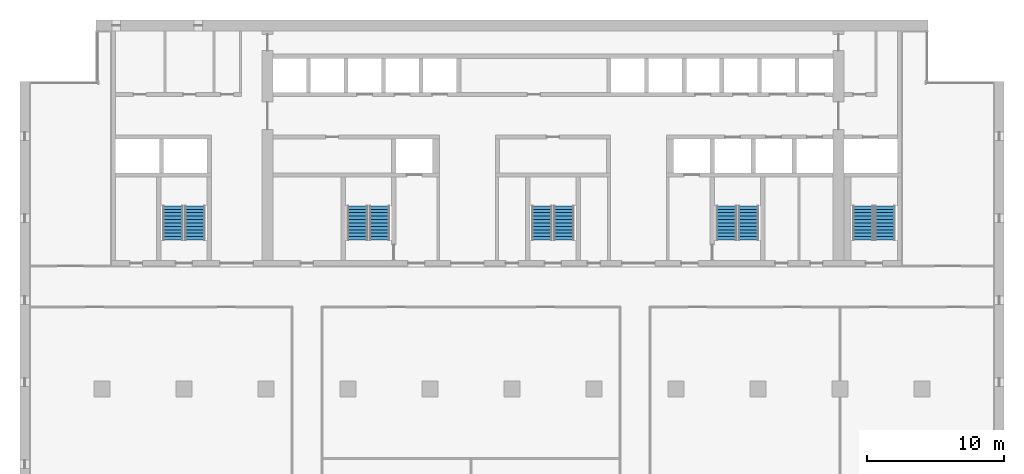
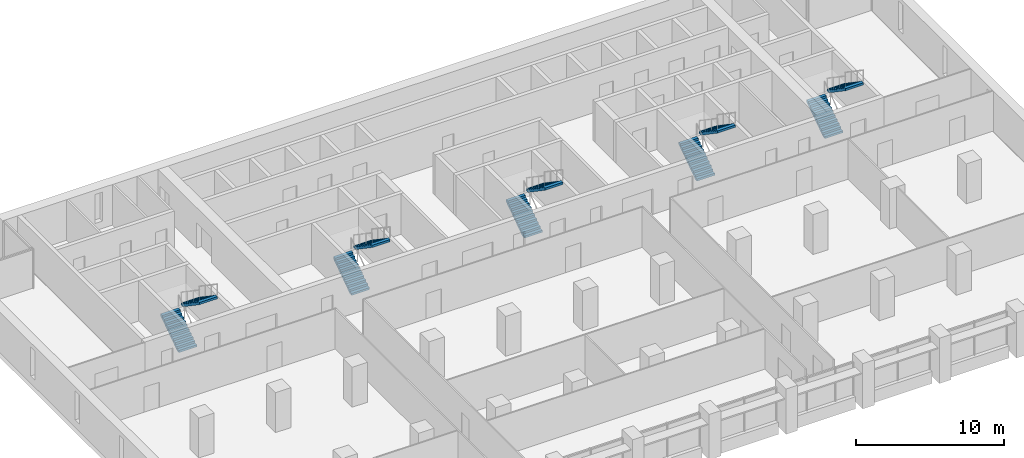
# One storey, part 12 of 15: 10 stair flights, 5 elements without a shape of their own.
"""IFC4 building model written with IfcOpenShell, lengths in metres."""

from ifc_helpers import new_model, si_unit, direction, frame, origin, place, context, subcontext, project, spatial, polyline, outline, extrude, material, type_object, element, aggregate, save


model = new_model("IFC4")

# Units and contexts
model_context = context("Model", 3, precision=1e-05, world=origin(), true_north=direction((0.0, 1.0)))
body_context = subcontext(model_context, "Body", "Model", "MODEL_VIEW")
ifc_project = project(units=[si_unit("LENGTHUNIT", "METRE"), si_unit("AREAUNIT", "SQUARE_METRE"), si_unit("VOLUMEUNIT", "CUBIC_METRE"), si_unit("PLANEANGLEUNIT", "RADIAN"), si_unit("MASSUNIT", "GRAM", prefix="KILO")], contexts=[model_context])

# Site, building, storey
site_placement = place(None, origin())
site = spatial("IfcSite", under=ifc_project, at=site_placement, CompositionType="ELEMENT")
building_placement = place(site_placement, origin())
building = spatial("IfcBuilding", under=site, at=building_placement, Name="Calvaro Tower", CompositionType="ELEMENT")
storey_placement = place(building_placement, frame((0.0, 0.0, 147.5)))
storey = spatial("IfcBuildingStorey", under=building, at=storey_placement, Name="L37", CompositionType="ELEMENT", Elevation=147.5)

# Stair, stair flights
ifc_material_1 = material(Name="Concrete C40/50", Category="concrete")
stair_type = type_object("IfcStairType", Name="Exit stair 1400 2 flights", PredefinedType="HALF_TURN_STAIR", material=ifc_material_1)
stair_1_placement = place(storey_placement, origin())
stair_1 = element("IfcStair", 1, at=stair_1_placement, inside=storey, type_object=stair_type, Name="Exit stair S1", PredefinedType="HALF_TURN_STAIR")
ifc_material_2 = material(Name="Concrete C40/50", Category="concrete")
stair_flight_type = type_object("IfcStairFlightType", Name="Stair flight", PredefinedType="STRAIGHT", material=ifc_material_2)
stair_flight_1_placement = place(storey_placement, frame((11.199951171875, 29.89990234375, 0.0), z_axis=(0.0, 0.0, 1.0), x_axis=(0.0, 1.0, 0.0)))
stair_flight_1 = element("IfcStairFlight", 2, at=stair_flight_1_placement, type_object=stair_flight_type, Name="Exit stair 1, flight 1", NumberOfRisers=11, NumberOfTreads=10, PredefinedType="STRAIGHT", RiserHeight=0.170454545, TreadLength=0.25, context=body_context, shape_type="SweptSolid", body=[
    extrude(outline(polyline([(0.0, 0.0), (0.0, 0.17041015625), (0.25, 0.17041015625), (0.25, 0.3408203125), (0.5, 0.3408203125), (0.5, 0.511474609375), (0.75, 0.511474609375), (0.75, 0.681884765625), (1.0, 0.681884765625), (1.0, 0.852294921875), (1.25, 0.852294921875), (1.25, 1.022705078125), (1.5, 1.022705078125), (1.5, 1.193115234375), (1.75, 1.193115234375), (1.75, 1.363525390625), (2.0, 1.363525390625), (2.0, 1.5341796875), (2.25, 1.5341796875), (2.25, 1.70458984375), (2.5, 1.70458984375), (2.5, 1.875), (2.5, 1.523193359375), (0.26611328125, 0.0), (0.0, 0.0)])), frame((0.0, 0.699951171875, 0.0), z_axis=(0.0, -1.0, 0.0), x_axis=(1.0, 0.0, 0.0)), (0.0, 0.0, 1.0), 1.39990234375),
])
stair_flight_2_placement = place(storey_placement, frame((12.800048828125, 32.39990234375, 1.875), z_axis=(0.0, 0.0, 1.0), x_axis=(0.0, -1.0, 0.0)))
stair_flight_2 = element("IfcStairFlight", 3, at=stair_flight_2_placement, type_object=stair_flight_type, Name="Exit stair 1, flight 2", NumberOfRisers=11, NumberOfTreads=10, PredefinedType="STRAIGHT", RiserHeight=0.170454545, TreadLength=0.25, context=body_context, shape_type="SweptSolid", body=[
    extrude(outline(polyline([(0.0, 0.0), (0.0, 0.17041015625), (0.25, 0.17041015625), (0.25, 0.3408203125), (0.5, 0.3408203125), (0.5, 0.511474609375), (0.75, 0.511474609375), (0.75, 0.681884765625), (1.0, 0.681884765625), (1.0, 0.852294921875), (1.25, 0.852294921875), (1.25, 1.022705078125), (1.5, 1.022705078125), (1.5, 1.193115234375), (1.75, 1.193115234375), (1.75, 1.363525390625), (2.0, 1.363525390625), (2.0, 1.5341796875), (2.25, 1.5341796875), (2.25, 1.70458984375), (2.5, 1.70458984375), (2.5, 1.875), (2.5, 1.523193359375), (0.26611328125, 0.0), (0.0, 0.0)])), frame((0.0, 0.699951171875, 0.0), z_axis=(0.0, -1.0, 0.0), x_axis=(1.0, 0.0, 0.0)), (0.0, 0.0, 1.0), 1.39990234375),
])
aggregate(stair_1, [stair_flight_1, stair_flight_2])

stair_2_placement = place(storey_placement, origin())
stair_2 = element("IfcStair", 4, at=stair_2_placement, inside=storey, type_object=stair_type, Name="Exit stair S2", PredefinedType="HALF_TURN_STAIR")
stair_flight_3_placement = place(storey_placement, frame((24.699951171875, 29.89990234375, 0.0), z_axis=(0.0, 0.0, 1.0), x_axis=(0.0, 1.0, 0.0)))
stair_flight_3 = element("IfcStairFlight", 5, at=stair_flight_3_placement, type_object=stair_flight_type, Name="Exit stair 2, flight 1", NumberOfRisers=11, NumberOfTreads=10, PredefinedType="STRAIGHT", RiserHeight=0.170454545, TreadLength=0.25, context=body_context, shape_type="SweptSolid", body=[
    extrude(outline(polyline([(0.0, 0.0), (0.0, 0.17041015625), (0.25, 0.17041015625), (0.25, 0.3408203125), (0.5, 0.3408203125), (0.5, 0.511474609375), (0.75, 0.511474609375), (0.75, 0.681884765625), (1.0, 0.681884765625), (1.0, 0.852294921875), (1.25, 0.852294921875), (1.25, 1.022705078125), (1.5, 1.022705078125), (1.5, 1.193115234375), (1.75, 1.193115234375), (1.75, 1.363525390625), (2.0, 1.363525390625), (2.0, 1.5341796875), (2.25, 1.5341796875), (2.25, 1.70458984375), (2.5, 1.70458984375), (2.5, 1.875), (2.5, 1.523193359375), (0.26611328125, 0.0), (0.0, 0.0)])), frame((0.0, 0.699951171875, 0.0), z_axis=(0.0, -1.0, 0.0), x_axis=(1.0, 0.0, 0.0)), (0.0, 0.0, 1.0), 1.39990234375),
])
stair_flight_4_placement = place(storey_placement, frame((26.300048828125, 32.39990234375, 1.875), z_axis=(0.0, 0.0, 1.0), x_axis=(0.0, -1.0, 0.0)))
stair_flight_4 = element("IfcStairFlight", 6, at=stair_flight_4_placement, type_object=stair_flight_type, Name="Exit stair 2, flight 2", NumberOfRisers=11, NumberOfTreads=10, PredefinedType="STRAIGHT", RiserHeight=0.170454545, TreadLength=0.25, context=body_context, shape_type="SweptSolid", body=[
    extrude(outline(polyline([(0.0, 0.0), (0.0, 0.17041015625), (0.25, 0.17041015625), (0.25, 0.3408203125), (0.5, 0.3408203125), (0.5, 0.511474609375), (0.75, 0.511474609375), (0.75, 0.681884765625), (1.0, 0.681884765625), (1.0, 0.852294921875), (1.25, 0.852294921875), (1.25, 1.022705078125), (1.5, 1.022705078125), (1.5, 1.193115234375), (1.75, 1.193115234375), (1.75, 1.363525390625), (2.0, 1.363525390625), (2.0, 1.5341796875), (2.25, 1.5341796875), (2.25, 1.70458984375), (2.5, 1.70458984375), (2.5, 1.875), (2.5, 1.523193359375), (0.26611328125, 0.0), (0.0, 0.0)])), frame((0.0, 0.699951171875, 0.0), z_axis=(0.0, -1.0, 0.0), x_axis=(1.0, 0.0, 0.0)), (0.0, 0.0, 1.0), 1.39990234375),
])
aggregate(stair_2, [stair_flight_3, stair_flight_4])

stair_3_placement = place(storey_placement, origin())
stair_3 = element("IfcStair", 7, at=stair_3_placement, inside=storey, type_object=stair_type, Name="Exit stair S3", PredefinedType="HALF_TURN_STAIR")
stair_flight_5_placement = place(storey_placement, frame((38.199951171875, 29.89990234375, 0.0), z_axis=(0.0, 0.0, 1.0), x_axis=(0.0, 1.0, 0.0)))
stair_flight_5 = element("IfcStairFlight", 8, at=stair_flight_5_placement, type_object=stair_flight_type, Name="Exit stair 3, flight 1", NumberOfRisers=11, NumberOfTreads=10, PredefinedType="STRAIGHT", RiserHeight=0.170454545, TreadLength=0.25, context=body_context, shape_type="SweptSolid", body=[
    extrude(outline(polyline([(0.0, 0.0), (0.0, 0.17041015625), (0.25, 0.17041015625), (0.25, 0.3408203125), (0.5, 0.3408203125), (0.5, 0.511474609375), (0.75, 0.511474609375), (0.75, 0.681884765625), (1.0, 0.681884765625), (1.0, 0.852294921875), (1.25, 0.852294921875), (1.25, 1.022705078125), (1.5, 1.022705078125), (1.5, 1.193115234375), (1.75, 1.193115234375), (1.75, 1.363525390625), (2.0, 1.363525390625), (2.0, 1.5341796875), (2.25, 1.5341796875), (2.25, 1.70458984375), (2.5, 1.70458984375), (2.5, 1.875), (2.5, 1.523193359375), (0.26611328125, 0.0), (0.0, 0.0)])), frame((0.0, 0.699951171875, 0.0), z_axis=(0.0, -1.0, 0.0), x_axis=(1.0, 0.0, 0.0)), (0.0, 0.0, 1.0), 1.39990234375),
])
stair_flight_6_placement = place(storey_placement, frame((39.800048828125, 32.39990234375, 1.875), z_axis=(0.0, 0.0, 1.0), x_axis=(0.0, -1.0, 0.0)))
stair_flight_6 = element("IfcStairFlight", 9, at=stair_flight_6_placement, type_object=stair_flight_type, Name="Exit stair 3, flight 2", NumberOfRisers=11, NumberOfTreads=10, PredefinedType="STRAIGHT", RiserHeight=0.170454545, TreadLength=0.25, context=body_context, shape_type="SweptSolid", body=[
    extrude(outline(polyline([(0.0, 0.0), (0.0, 0.17041015625), (0.25, 0.17041015625), (0.25, 0.3408203125), (0.5, 0.3408203125), (0.5, 0.511474609375), (0.75, 0.511474609375), (0.75, 0.681884765625), (1.0, 0.681884765625), (1.0, 0.852294921875), (1.25, 0.852294921875), (1.25, 1.022705078125), (1.5, 1.022705078125), (1.5, 1.193115234375), (1.75, 1.193115234375), (1.75, 1.363525390625), (2.0, 1.363525390625), (2.0, 1.5341796875), (2.25, 1.5341796875), (2.25, 1.70458984375), (2.5, 1.70458984375), (2.5, 1.875), (2.5, 1.523193359375), (0.26611328125, 0.0), (0.0, 0.0)])), frame((0.0, 0.699951171875, 0.0), z_axis=(0.0, -1.0, 0.0), x_axis=(1.0, 0.0, 0.0)), (0.0, 0.0, 1.0), 1.39990234375),
])
aggregate(stair_3, [stair_flight_5, stair_flight_6])

stair_4_placement = place(storey_placement, origin())
stair_4 = element("IfcStair", 10, at=stair_4_placement, inside=storey, type_object=stair_type, Name="Exit stair S4", PredefinedType="HALF_TURN_STAIR")
stair_flight_7_placement = place(storey_placement, frame((51.699951171875, 29.89990234375, 0.0), z_axis=(0.0, 0.0, 1.0), x_axis=(0.0, 1.0, 0.0)))
stair_flight_7 = element("IfcStairFlight", 11, at=stair_flight_7_placement, type_object=stair_flight_type, Name="Exit stair 4, flight 1", NumberOfRisers=11, NumberOfTreads=10, PredefinedType="STRAIGHT", RiserHeight=0.170454545, TreadLength=0.25, context=body_context, shape_type="SweptSolid", body=[
    extrude(outline(polyline([(0.0, 0.0), (0.0, 0.17041015625), (0.25, 0.17041015625), (0.25, 0.3408203125), (0.5, 0.3408203125), (0.5, 0.511474609375), (0.75, 0.511474609375), (0.75, 0.681884765625), (1.0, 0.681884765625), (1.0, 0.852294921875), (1.25, 0.852294921875), (1.25, 1.022705078125), (1.5, 1.022705078125), (1.5, 1.193115234375), (1.75, 1.193115234375), (1.75, 1.363525390625), (2.0, 1.363525390625), (2.0, 1.5341796875), (2.25, 1.5341796875), (2.25, 1.70458984375), (2.5, 1.70458984375), (2.5, 1.875), (2.5, 1.523193359375), (0.26611328125, 0.0), (0.0, 0.0)])), frame((0.0, 0.699951171875, 0.0), z_axis=(0.0, -1.0, 0.0), x_axis=(1.0, 0.0, 0.0)), (0.0, 0.0, 1.0), 1.39990234375),
])
stair_flight_8_placement = place(storey_placement, frame((53.300048828125, 32.39990234375, 1.875), z_axis=(0.0, 0.0, 1.0), x_axis=(0.0, -1.0, 0.0)))
stair_flight_8 = element("IfcStairFlight", 12, at=stair_flight_8_placement, type_object=stair_flight_type, Name="Exit stair 4, flight 2", NumberOfRisers=11, NumberOfTreads=10, PredefinedType="STRAIGHT", RiserHeight=0.170454545, TreadLength=0.25, context=body_context, shape_type="SweptSolid", body=[
    extrude(outline(polyline([(0.0, 0.0), (0.0, 0.17041015625), (0.25, 0.17041015625), (0.25, 0.3408203125), (0.5, 0.3408203125), (0.5, 0.511474609375), (0.75, 0.511474609375), (0.75, 0.681884765625), (1.0, 0.681884765625), (1.0, 0.852294921875), (1.25, 0.852294921875), (1.25, 1.022705078125), (1.5, 1.022705078125), (1.5, 1.193115234375), (1.75, 1.193115234375), (1.75, 1.363525390625), (2.0, 1.363525390625), (2.0, 1.5341796875), (2.25, 1.5341796875), (2.25, 1.70458984375), (2.5, 1.70458984375), (2.5, 1.875), (2.5, 1.523193359375), (0.26611328125, 0.0), (0.0, 0.0)])), frame((0.0, 0.699951171875, 0.0), z_axis=(0.0, -1.0, 0.0), x_axis=(1.0, 0.0, 0.0)), (0.0, 0.0, 1.0), 1.39990234375),
])
aggregate(stair_4, [stair_flight_7, stair_flight_8])

stair_5_placement = place(storey_placement, origin())
stair_5 = element("IfcStair", 13, at=stair_5_placement, inside=storey, type_object=stair_type, Name="Exit stair S5", PredefinedType="HALF_TURN_STAIR")
stair_flight_9_placement = place(storey_placement, frame((61.699951171875, 29.89990234375, 0.0), z_axis=(0.0, 0.0, 1.0), x_axis=(0.0, 1.0, 0.0)))
stair_flight_9 = element("IfcStairFlight", 14, at=stair_flight_9_placement, type_object=stair_flight_type, Name="Exit stair 5, flight 1", NumberOfRisers=11, NumberOfTreads=10, PredefinedType="STRAIGHT", RiserHeight=0.170454545, TreadLength=0.25, context=body_context, shape_type="SweptSolid", body=[
    extrude(outline(polyline([(0.0, 0.0), (0.0, 0.17041015625), (0.25, 0.17041015625), (0.25, 0.3408203125), (0.5, 0.3408203125), (0.5, 0.511474609375), (0.75, 0.511474609375), (0.75, 0.681884765625), (1.0, 0.681884765625), (1.0, 0.852294921875), (1.25, 0.852294921875), (1.25, 1.022705078125), (1.5, 1.022705078125), (1.5, 1.193115234375), (1.75, 1.193115234375), (1.75, 1.363525390625), (2.0, 1.363525390625), (2.0, 1.5341796875), (2.25, 1.5341796875), (2.25, 1.70458984375), (2.5, 1.70458984375), (2.5, 1.875), (2.5, 1.523193359375), (0.26611328125, 0.0), (0.0, 0.0)])), frame((0.0, 0.699951171875, 0.0), z_axis=(0.0, -1.0, 0.0), x_axis=(1.0, 0.0, 0.0)), (0.0, 0.0, 1.0), 1.39990234375),
])
stair_flight_10_placement = place(storey_placement, frame((63.300048828125, 32.39990234375, 1.875), z_axis=(0.0, 0.0, 1.0), x_axis=(0.0, -1.0, 0.0)))
stair_flight_10 = element("IfcStairFlight", 15, at=stair_flight_10_placement, type_object=stair_flight_type, Name="Exit stair 5, flight 2", NumberOfRisers=11, NumberOfTreads=10, PredefinedType="STRAIGHT", RiserHeight=0.170454545, TreadLength=0.25, context=body_context, shape_type="SweptSolid", body=[
    extrude(outline(polyline([(0.0, 0.0), (0.0, 0.17041015625), (0.25, 0.17041015625), (0.25, 0.3408203125), (0.5, 0.3408203125), (0.5, 0.511474609375), (0.75, 0.511474609375), (0.75, 0.681884765625), (1.0, 0.681884765625), (1.0, 0.852294921875), (1.25, 0.852294921875), (1.25, 1.022705078125), (1.5, 1.022705078125), (1.5, 1.193115234375), (1.75, 1.193115234375), (1.75, 1.363525390625), (2.0, 1.363525390625), (2.0, 1.5341796875), (2.25, 1.5341796875), (2.25, 1.70458984375), (2.5, 1.70458984375), (2.5, 1.875), (2.5, 1.523193359375), (0.26611328125, 0.0), (0.0, 0.0)])), frame((0.0, 0.699951171875, 0.0), z_axis=(0.0, -1.0, 0.0), x_axis=(1.0, 0.0, 0.0)), (0.0, 0.0, 1.0), 1.39990234375),
])
aggregate(stair_5, [stair_flight_9, stair_flight_10])

save(model, "model.ifc")
